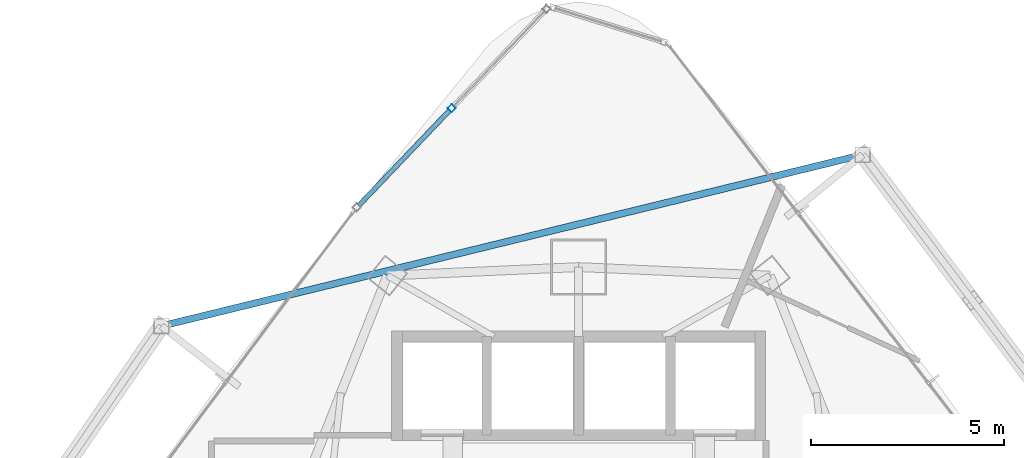
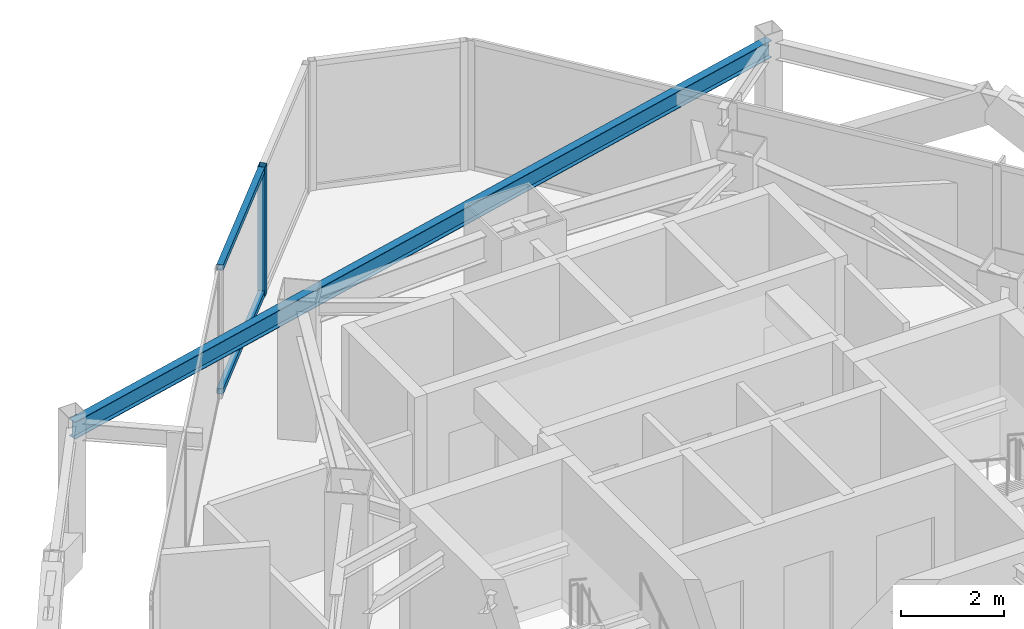
# One storey, part 23 of 31: 3 members, 1 beam, 1 element without a shape of its own.
"""IFC4 building model written with IfcOpenShell, lengths in metres."""

import ifcopenshell
import ifcopenshell.guid

model = None  # the IFC model being written
_history = None  # IfcOwnerHistory: only IFC2X3 demands one
_inside = {}  # id of a spatial element -> (the spatial element, [elements in it])
_under = {}  # id of a project, library or spatial element -> (it, [spatial elements below it])
_declared = {}  # id of a project -> (the project, [libraries it declares])
_typed = {}  # id of a type object -> (the type object, [elements of that type])
_made_of = {}  # id of a material, layer set ... -> (it, [elements and type objects made of it])


def new_model(schema):
    """Start an empty IFC model of exactly this schema.

    Asked for "IFC4X3", IfcOpenShell would pick the latest addendum, in which some entities
    have other attributes; the version numbers below select the first issue.
    IFC2X3 requires an IfcOwnerHistory on every rooted entity: one is made here for all.
    """
    global model, _history
    if schema == "IFC4X3":
        model = ifcopenshell.file(schema_version=(4, 3, 0, 0))
    else:
        model = ifcopenshell.file(schema=schema)
    _inside.clear()
    _under.clear()
    _declared.clear()
    _typed.clear()
    _made_of.clear()
    _history = None
    if model.schema == "IFC2X3":
        org = make("IfcOrganization", Name="unknown")
        user = make(
            "IfcPersonAndOrganization",
            ThePerson=make("IfcPerson", FamilyName="unknown"),
            TheOrganization=org,
        )
        app = make(
            "IfcApplication",
            ApplicationDeveloper=org,
            Version="unknown",
            ApplicationFullName="unknown",
            ApplicationIdentifier="unknown",
        )
        _history = make(
            "IfcOwnerHistory",
            OwningUser=user,
            OwningApplication=app,
            ChangeAction="ADDED",
            CreationDate=0,
        )
    return model


def make(cls, **values):
    """One entity of the class cls with the attributes given. An attribute that is None is left unset."""
    return model.create_entity(
        cls, **{name: value for name, value in values.items() if value is not None}
    )


def rooted(cls, **values):
    """An entity with a GlobalId (a new one), such as an element, a storey or a relation."""
    return make(cls, GlobalId=ifcopenshell.guid.new(), OwnerHistory=_history, **values)


def si_unit(unit_type, name, prefix=None):
    """IfcSIUnit, for example si_unit("LENGTHUNIT", "METRE", prefix="MILLI")."""
    return make("IfcSIUnit", UnitType=unit_type, Prefix=prefix, Name=name)


def assignment(units):
    """IfcUnitAssignment: the units of a project."""
    return None if units is None else make("IfcUnitAssignment", Units=units)


def point(xyz):
    """IfcCartesianPoint."""
    return None if xyz is None else make("IfcCartesianPoint", Coordinates=xyz)


def direction(xyz):
    """IfcDirection."""
    return None if xyz is None else make("IfcDirection", DirectionRatios=xyz)


def frame(location, z_axis=None, x_axis=None):
    """IfcAxis2Placement3D, a coordinate frame: its origin and axes. An axis left out is left unset."""
    return make(
        "IfcAxis2Placement3D",
        Location=point(location),
        Axis=direction(z_axis),
        RefDirection=direction(x_axis),
    )


def frame_2d(location, x_axis=None):
    """IfcAxis2Placement2D, a coordinate frame in the plane: its origin and x axis."""
    return make(
        "IfcAxis2Placement2D", Location=point(location), RefDirection=direction(x_axis)
    )


def origin():
    """The frame at (0, 0, 0) with its axes left unset."""
    return frame((0.0, 0.0, 0.0))


def origin_2d():
    """The frame at (0, 0) in the plane with its x axis left unset."""
    return frame_2d((0.0, 0.0))


def place(relative_to, where):
    """IfcLocalPlacement: puts the frame where relative to a parent placement (None: the world)."""
    return make(
        "IfcLocalPlacement", PlacementRelTo=relative_to, RelativePlacement=where
    )


def context(
    kind, dimensions, precision=None, world=None, true_north=None, identifier=None
):
    """IfcGeometricRepresentationContext, for example the 3D "Model" context."""
    return make(
        "IfcGeometricRepresentationContext",
        ContextIdentifier=identifier,
        ContextType=kind,
        CoordinateSpaceDimension=dimensions,
        Precision=precision,
        WorldCoordinateSystem=world,
        TrueNorth=true_north,
    )


def subcontext(parent, identifier, kind, view, scale=None):
    """IfcGeometricRepresentationSubContext, for example "Body" below "Model"."""
    return make(
        "IfcGeometricRepresentationSubContext",
        ContextIdentifier=identifier,
        ContextType=kind,
        ParentContext=parent,
        TargetScale=scale,
        TargetView=view,
    )


def project(units=None, contexts=None):
    """IfcProject with its units and contexts."""
    return rooted(
        "IfcProject",
        Name="project",
        RepresentationContexts=contexts,
        UnitsInContext=assignment(units),
    )


def spatial(cls, under=None, at=None, **own):
    """A site, building, storey or space (cls), placed at a placement, below another one or the project."""
    s = rooted(cls, ObjectPlacement=at, **own)
    if under is not None:
        _under.setdefault(under.id(), (under, []))[1].append(s)
    return s


def profile(cls, at=None, kind="AREA", **sizes):
    """A parametric profile (cls). Its sizes go by their IFC names, for example OverallWidth=200.0."""
    return make(cls, ProfileType=kind, Position=at, **sizes)


def hollow_rectangle(**sizes):
    """IfcRectangleHollowProfileDef."""
    return profile("IfcRectangleHollowProfileDef", **sizes)


def i_section(**sizes):
    """IfcIShapeProfileDef."""
    return profile("IfcIShapeProfileDef", **sizes)


def extrude(swept, where, along, depth):
    """IfcExtrudedAreaSolid: the profile swept, set in the frame where, extruded along a direction by depth."""
    return make(
        "IfcExtrudedAreaSolid",
        SweptArea=swept,
        Position=where,
        ExtrudedDirection=direction(along),
        Depth=depth,
    )


def shape(context_of_items, identifier, shape_type, items):
    """IfcShapeRepresentation: the items that make up one representation, for example the "Body"."""
    return make(
        "IfcShapeRepresentation",
        ContextOfItems=context_of_items,
        RepresentationIdentifier=identifier,
        RepresentationType=shape_type,
        Items=items,
    )


def material(Name=None, Category=None):
    """IfcMaterial."""
    return make("IfcMaterial", Name=Name, Category=Category)


def layer(
    of_material, thickness, ventilated=None, Name=None, Category=None, Priority=None
):
    """IfcMaterialLayer: one layer of a wall or slab, of a material (None: an air gap)."""
    return make(
        "IfcMaterialLayer",
        Material=of_material,
        LayerThickness=thickness,
        IsVentilated=ventilated,
        Name=Name,
        Category=Category,
        Priority=Priority,
    )


def layer_set(layers, Name=None):
    """IfcMaterialLayerSet."""
    return make("IfcMaterialLayerSet", MaterialLayers=layers, LayerSetName=Name)


def material_profile(
    of_material, cross_section, Name=None, Category=None, Priority=None
):
    """IfcMaterialProfile: a cross section and its material."""
    return make(
        "IfcMaterialProfile",
        Name=Name,
        Material=of_material,
        Profile=cross_section,
        Priority=Priority,
        Category=Category,
    )


def profile_set(profiles, Name=None, composite=None):
    """IfcMaterialProfileSet."""
    return make(
        "IfcMaterialProfileSet",
        Name=Name,
        MaterialProfiles=profiles,
        CompositeProfile=composite,
    )


def made_of(thing, what):
    """Note that an element or type object is made of a material, layer set ...; save() writes the relation."""
    if what is not None:
        _made_of.setdefault(what.id(), (what, []))[1].append(thing)
    return thing


def type_object(cls, material=None, **own):
    """A type object (cls), such as IfcWallType, which elements share."""
    return made_of(rooted(cls, **own), material)


def element(
    cls,
    number,
    at=None,
    inside=None,
    cuts=None,
    type_object=None,
    material=None,
    context=None,
    identifier="Body",
    shape_type=None,
    held_by="IfcProductDefinitionShape",
    body=None,
    shapes=None,
    **own,
):
    """One element of the class cls, such as IfcWall. Its Tag is "e" and its number.

    at: its placement. inside: the storey or other place that contains it. cuts: it is an
    opening in that element (IfcRelVoidsElement). A single representation is given by context,
    identifier, shape_type and body (its items); several are given by shapes. held_by: the class
    of the entity that holds the representations. save() writes the other relations.
    """
    e = rooted(cls, Tag="e%d" % number, ObjectPlacement=at, **own)
    if body is not None:
        shapes = [shape(context, identifier, shape_type, body)]
    if shapes is not None:
        e.Representation = make(held_by, Representations=shapes)
    if inside is not None:
        _inside.setdefault(inside.id(), (inside, []))[1].append(e)
    if cuts is not None:
        rooted(
            "IfcRelVoidsElement", RelatingBuildingElement=cuts, RelatedOpeningElement=e
        )
    if type_object is not None:
        _typed.setdefault(type_object.id(), (type_object, []))[1].append(e)
    return made_of(e, material)


def aggregate(whole, parts):
    """IfcRelAggregates: a whole, such as a stair, and the parts it consists of."""
    return rooted("IfcRelAggregates", RelatingObject=whole, RelatedObjects=parts)


def save(model, path):
    """Write the relations noted so far, then the file.

    IfcRelAggregates (storeys below a building ...), IfcRelContainedInSpatialStructure (elements
    in a storey), IfcRelDefinesByType, IfcRelAssociatesMaterial and IfcRelDeclares: one each for
    every whole, place, type object, material and project.
    """
    for whole, parts in _under.values():
        aggregate(whole, parts)
    for where, things in _inside.values():
        rooted(
            "IfcRelContainedInSpatialStructure",
            RelatedElements=things,
            RelatingStructure=where,
        )
    for kind, things in _typed.values():
        rooted("IfcRelDefinesByType", RelatedObjects=things, RelatingType=kind)
    for what, things in _made_of.values():
        rooted("IfcRelAssociatesMaterial", RelatedObjects=things, RelatingMaterial=what)
    for by, libraries in _declared.values():
        rooted("IfcRelDeclares", RelatingContext=by, RelatedDefinitions=libraries)
    model.write(path)


model = new_model("IFC4")

# Units and contexts
model_context = context("Model", 3, precision=1e-05, world=origin(), true_north=direction((0.0, 1.0)))
body_context = subcontext(model_context, "Body", "Model", "MODEL_VIEW")
ifc_project = project(units=[si_unit("LENGTHUNIT", "METRE"), si_unit("AREAUNIT", "SQUARE_METRE"), si_unit("VOLUMEUNIT", "CUBIC_METRE"), si_unit("PLANEANGLEUNIT", "RADIAN"), si_unit("MASSUNIT", "GRAM", prefix="KILO")], contexts=[model_context])

# Site, building, storey
site_placement = place(None, origin())
site = spatial("IfcSite", under=ifc_project, at=site_placement, CompositionType="ELEMENT")
building_placement = place(site_placement, origin())
building = spatial("IfcBuilding", under=site, at=building_placement, Name="Orvanel Arch Residences", CompositionType="ELEMENT")
storey_placement = place(building_placement, frame((0.0, 0.0, 150.64990234375)))
storey = spatial("IfcBuildingStorey", under=building, at=storey_placement, Name="L42", CompositionType="ELEMENT", Elevation=150.64990234375)

# Curtain wall, member
ifc_material_1 = material(Name="Bronze-anodised aluminium AA6063-T6", Category="aluminium")
ifc_layer = layer(ifc_material_1, 0.18994140625)
ifc_layer_set = layer_set([ifc_layer], Name="Bronze-anodised aluminium AA6063-T6")
curtain_wall_type = type_object("IfcCurtainWallType", Name="CW5-CRN-SYS", PredefinedType="NOTDEFINED", material=ifc_layer_set)
curtain_wall_placement = place(storey_placement, origin())
curtain_wall = element("IfcCurtainWall", 1, at=curtain_wall_placement, inside=storey, type_object=curtain_wall_type, Name="L42 CW5-CRN-SYS Unitised Curtain Wall", PredefinedType="NOTDEFINED")
ifc_material_profile_1 = material_profile(ifc_material_1, hollow_rectangle(XDim=0.14990234375, YDim=0.14990234375, WallThickness=0.0048828125, at=origin_2d()), Name="ALU150x150x5")
ifc_profile_set_1 = profile_set([ifc_material_profile_1], Name="Bronze-anodised aluminium AA6063-T6")
member_type_1 = type_object("IfcMemberType", Name="MUL-150x150", PredefinedType="MULLION", material=ifc_profile_set_1)
member_1_placement = place(storey_placement, frame((29.714599609375, 45.506591796875, 0.0), z_axis=(0.0, 0.0, 1.0), x_axis=(0.723045752642, -0.69080014446, 0.0)))
member_1 = element("IfcMember", 2, at=member_1_placement, type_object=member_type_1, Name="CW-S5 mullion 2", PredefinedType="MULLION", context=body_context, shape_type="SweptSolid", body=[
    extrude(hollow_rectangle(XDim=0.14990234375, YDim=0.14990234375, WallThickness=0.0048828125, at=origin_2d()), origin(), (0.0, 0.0, 1.0), 3.06005859375),
])

# Beam
ifc_material_2 = material(Name="Structural steel AS/NZS 3679.1 Grade 300 (300 MPa)", Category="steel")
ifc_material_profile_2 = material_profile(ifc_material_2, i_section(OverallWidth=0.177978515625, OverallDepth=0.406005859375, WebThickness=0.0078125, FlangeThickness=0.0126953125, at=origin_2d()), Name="410UB59.7")
ifc_profile_set_2 = profile_set([ifc_material_profile_2], Name="Structural steel AS/NZS 3679.1 Grade 300 (300 MPa)")
beam_type = type_object("IfcBeamType", Name="OB-410UB-EXT", PredefinedType="SPANDREL", material=ifc_profile_set_2)
beam_placement = place(storey_placement, frame((40.346923828125, 44.302001953125, 2.857177734375), z_axis=(-0.971457544465, -0.237213488868, 0.0), x_axis=(0.237213488868, -0.971457544465, 0.0)))
element("IfcBeam", 3, at=beam_placement, inside=storey, type_object=beam_type, Name="L42 Outer Perimeter Floor Ring Beam 12", PredefinedType="SPANDREL", context=body_context, shape_type="SweptSolid", body=[
    extrude(i_section(OverallWidth=0.177978515625, OverallDepth=0.406005859375, WebThickness=0.0078125, FlangeThickness=0.0126953125, at=origin_2d()), origin(), (0.0, 0.0, 1.0), 18.6748046875),
])

# Member
ifc_material_profile_3 = material_profile(ifc_material_1, hollow_rectangle(XDim=0.1298828125, YDim=0.1298828125, WallThickness=0.00439453125, at=origin_2d()), Name="ALU130x130x4.5")
ifc_profile_set_3 = profile_set([ifc_material_profile_3], Name="Bronze-anodised aluminium AA6063-T6")
member_type_2 = type_object("IfcMemberType", Name="TRN-130x130", PredefinedType="USERDEFINED", material=ifc_profile_set_3)
member_2_placement = place(storey_placement, frame((29.66259765625, 45.452392578125, 0.065185546875), z_axis=(-0.690782776575, -0.723062345574, 0.0), x_axis=(0.723062345574, -0.690782776575, 0.0)))
member_2 = element("IfcMember", 4, at=member_2_placement, type_object=member_type_2, Name="CW-S5 transom 2.1", ObjectType="TRANSOM", PredefinedType="USERDEFINED", context=body_context, shape_type="SweptSolid", body=[
    extrude(hollow_rectangle(XDim=0.1298828125, YDim=0.1298828125, WallThickness=0.00439453125, at=origin_2d()), origin(), (0.0, 0.0, 1.0), 3.403564453125),
])

member_3_placement = place(storey_placement, frame((29.66259765625, 45.452392578125, 2.9951171875), z_axis=(-0.690782776575, -0.723062345574, 0.0), x_axis=(0.723062345574, -0.690782776575, 0.0)))
member_3 = element("IfcMember", 5, at=member_3_placement, type_object=member_type_2, Name="CW-S5 transom 2.2", ObjectType="TRANSOM", PredefinedType="USERDEFINED", context=body_context, shape_type="SweptSolid", body=[
    extrude(hollow_rectangle(XDim=0.1298828125, YDim=0.1298828125, WallThickness=0.00439453125, at=origin_2d()), origin(), (0.0, 0.0, 1.0), 3.403564453125),
])

aggregate(curtain_wall, [member_1, member_2, member_3])

save(model, "model.ifc")
